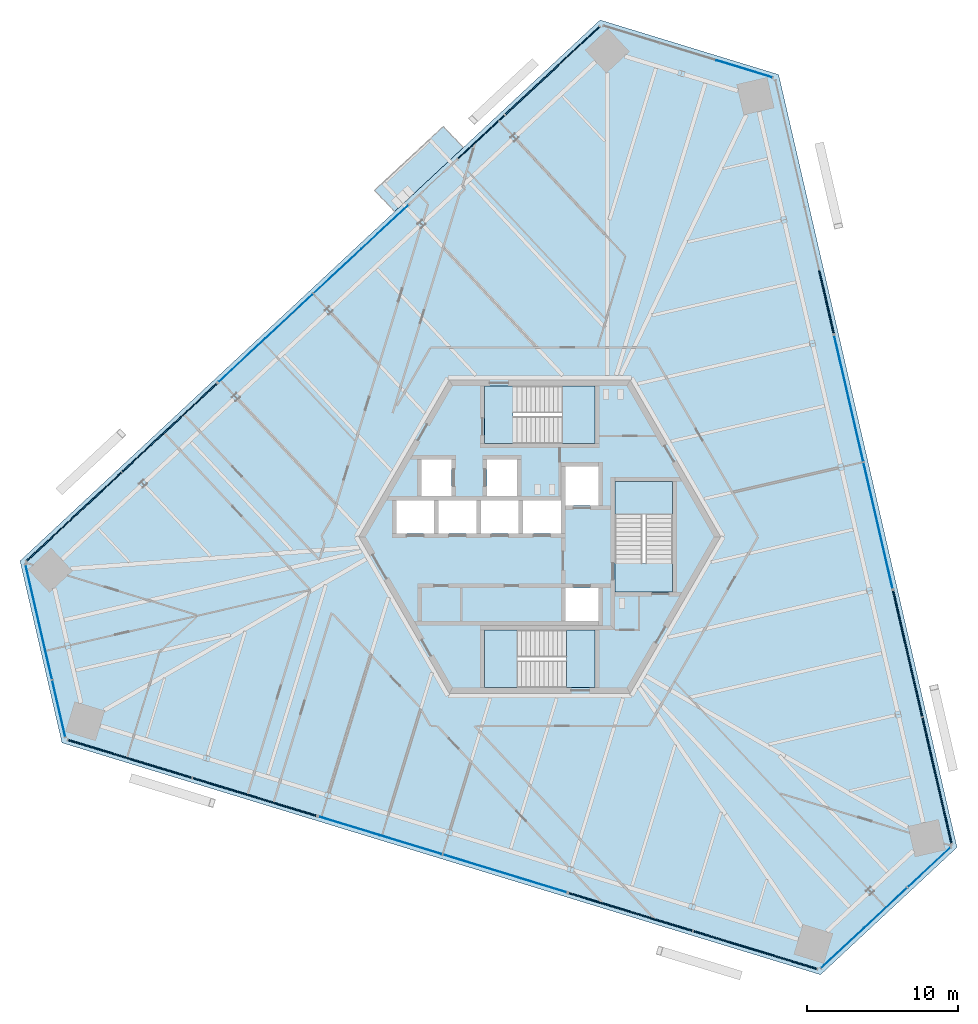
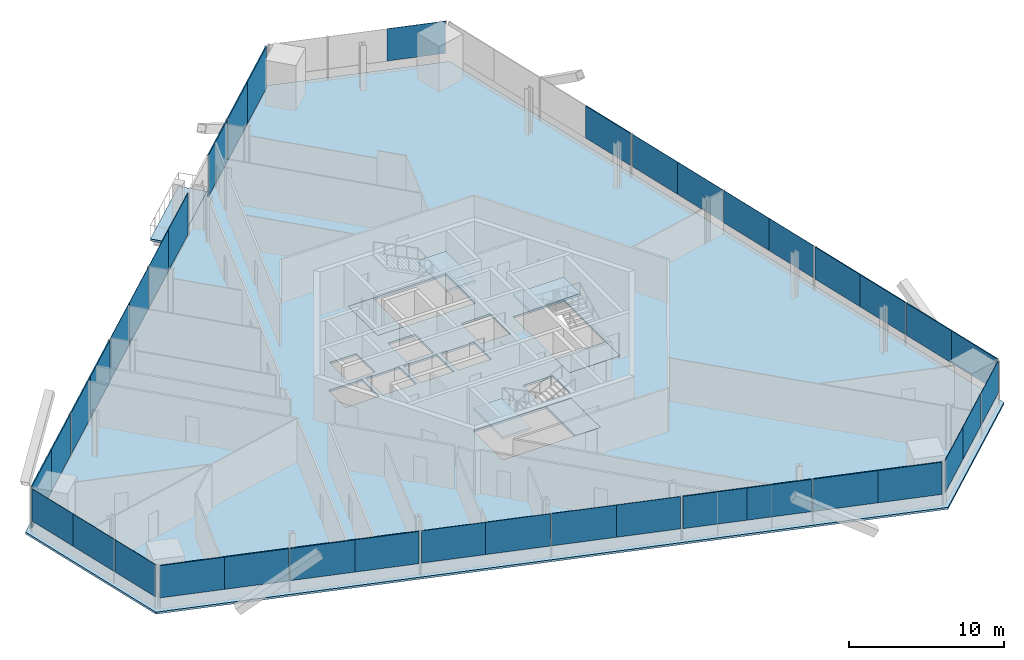
# One storey, part 10 of 18: 39 plates, 8 slabs, 15 elements without a shape of their own.
"""IFC4 building model written with IfcOpenShell, lengths in metres."""

from ifc_helpers import new_model, si_unit, direction, frame, origin, origin_2d, place, context, subcontext, project, spatial, polyline, rectangle, outline, extrude, source, transform, mapped, material, layer, layer_set, type_object, element, aggregate, save


model = new_model("IFC4")

# Units and contexts
model_context = context("Model", 3, precision=1e-05, world=origin(), true_north=direction((0.0, 1.0)))
body_context = subcontext(model_context, "Body", "Model", "MODEL_VIEW")
ifc_project = project(units=[si_unit("LENGTHUNIT", "METRE"), si_unit("AREAUNIT", "SQUARE_METRE"), si_unit("VOLUMEUNIT", "CUBIC_METRE"), si_unit("PLANEANGLEUNIT", "RADIAN"), si_unit("MASSUNIT", "GRAM", prefix="KILO")], contexts=[model_context])

# Site, building, storey
site_placement = place(None, origin())
site = spatial("IfcSite", under=ifc_project, at=site_placement, CompositionType="ELEMENT")
building_placement = place(site_placement, origin())
building = spatial("IfcBuilding", under=site, at=building_placement, Name="Triune Harvest Tower", CompositionType="ELEMENT")
storey_placement = place(building_placement, frame((0.0, 0.0, 101.89990234375)))
storey = spatial("IfcBuildingStorey", under=building, at=storey_placement, Name="L25", CompositionType="ELEMENT", Elevation=101.89990234375)

# Slabs
ifc_material_1 = material(Name="Concrete 40 MPa", Category="concrete")
ifc_layer_1 = layer(ifc_material_1, 0.159912109375)
ifc_layer_set_1 = layer_set([ifc_layer_1], Name="Concrete 40 MPa")
slab_type_1 = type_object("IfcSlabType", Name="BA-1 balcony slab 160", PredefinedType="FLOOR", material=ifc_layer_set_1)
slab_1_placement = place(storey_placement, frame((0.0, 0.0, -0.159912109375)))
element("IfcSlab", 1, at=slab_1_placement, inside=storey, type_object=slab_type_1, Name="Balcony slab B3-F3 L25.4", PredefinedType="FLOOR", context=body_context, shape_type="SweptSolid", body=[
    extrude(outline(polyline([(-5.0712890625, 25.79541015625), (-9.61962890625, 21.553955078125), (-10.93701171875, 22.96630859375), (-6.388427734375, 27.207763671875), (-5.0712890625, 25.79541015625)])), origin(), (0.0, 0.0, 1.0), 0.159912109375),
])
ifc_material_2 = material(Name="Concrete 40 MPa", Category="concrete")
ifc_layer_2 = layer(ifc_material_2, 0.159912109375)
ifc_layer_set_2 = layer_set([ifc_layer_2], Name="Concrete 40 MPa")
slab_type_2 = type_object("IfcSlabType", Name="SL-1 Composite floor slab 160", PredefinedType="FLOOR", material=ifc_layer_set_2)
shared_shape_1 = source(origin(), body_context, "Body", "SweptSolid", [
    extrude(outline(polyline([(27.666748046875, -20.59765625), (15.83740234375, 30.641357421875), (4.004638671875, 34.2587890625), (-34.454833984375, -1.60498046875), (-31.67138671875, -13.661376953125), (18.617431640625, -29.0361328125), (27.666748046875, -20.59765625)]), holes=[polyline([(-7.0, 0.2099609375), (-7.0, 2.409912109375), (-9.5, 2.409912109375), (-9.5, 0.2099609375), (-7.0, 0.2099609375)]), polyline([(-4.199951171875, 0.2099609375), (-4.199951171875, 2.409912109375), (-6.699951171875, 2.409912109375), (-6.699951171875, 0.2099609375), (-4.199951171875, 0.2099609375)]), polyline([(-1.39990234375, 0.2099609375), (-1.39990234375, 2.409912109375), (-3.89990234375, 2.409912109375), (-3.89990234375, 0.2099609375), (-1.39990234375, 0.2099609375)]), polyline([(1.39990234375, 0.2099609375), (1.39990234375, 2.409912109375), (-1.10009765625, 2.409912109375), (-1.10009765625, 0.2099609375), (1.39990234375, 0.2099609375)]), polyline([(3.89990234375, 2.06005859375), (3.89990234375, 4.659912109375), (1.699951171875, 4.659912109375), (1.699951171875, 2.06005859375), (3.89990234375, 2.06005859375)]), polyline([(3.89990234375, -5.590087890625), (3.89990234375, -3.389892578125), (1.699951171875, -3.389892578125), (1.699951171875, -5.590087890625), (3.89990234375, -5.590087890625)]), polyline([(-5.85009765625, 2.7099609375), (-5.85009765625, 5.110107421875), (-7.85009765625, 5.110107421875), (-7.85009765625, 2.7099609375), (-5.85009765625, 2.7099609375)]), polyline([(-1.5, 2.7099609375), (-1.5, 5.110107421875), (-3.5, 5.110107421875), (-3.5, 2.7099609375), (-1.5, 2.7099609375)]), polyline([(3.64990234375, 6.18994140625), (3.64990234375, 9.989990234375), (-3.64990234375, 9.989990234375), (-3.64990234375, 6.18994140625), (3.64990234375, 6.18994140625)]), polyline([(3.64990234375, -9.989990234375), (3.64990234375, -6.18994140625), (-3.64990234375, -6.18994140625), (-3.64990234375, -9.989990234375), (3.64990234375, -9.989990234375)]), polyline([(8.800048828125, -3.64990234375), (8.800048828125, 3.64990234375), (5.0, 3.64990234375), (5.0, -3.64990234375), (8.800048828125, -3.64990234375)])]), origin(), (0.0, 0.0, 1.0), 0.159912109375),
])
slab_2_placement = place(storey_placement, frame((0.0, 0.0, -0.159912109375)))
element("IfcSlab", 2, at=slab_2_placement, inside=storey, type_object=slab_type_2, Name="slab/L25/1", PredefinedType="FLOOR", context=body_context, shape_type="MappedRepresentation", body=[
    mapped(shared_shape_1, transform((0.0, 0.0, 0.0), scale=1.0)),
])

# Stair, slabs
ifc_material_3 = material(Name="Concrete 40 MPa", Category="concrete")
stair_type = type_object("IfcStairType", Name="Exit stair 1800 half turn", PredefinedType="HALF_TURN_STAIR", material=ifc_material_3)
stair_1_placement = place(storey_placement, origin())
stair_1 = element("IfcStair", 3, at=stair_1_placement, inside=storey, type_object=stair_type, Name="Exit stair north", PredefinedType="HALF_TURN_STAIR")
ifc_material_4 = material(Name="Concrete 40 MPa", Category="concrete")
ifc_layer_3 = layer(ifc_material_4, 0.199951171875)
ifc_layer_set_3 = layer_set([ifc_layer_3], Name="Concrete 40 MPa")
slab_type_3 = type_object("IfcSlabType", Name="Stair landing 200", PredefinedType="LANDING", material=ifc_layer_set_3)
shared_shape_2 = source(origin(), body_context, "Body", "SweptSolid", [
    extrude(outline(polyline([(1.510009765625, 6.18994140625), (3.64990234375, 6.18994140625), (3.64990234375, 9.989990234375), (1.510009765625, 9.989990234375), (1.510009765625, 6.18994140625)])), origin(), (0.0, 0.0, 1.0), 0.199951171875),
])
slab_3_placement = place(storey_placement, frame((0.0, 0.0, 1.60009765625)))
slab_3 = element("IfcSlab", 4, at=slab_3_placement, type_object=slab_type_3, Name="ST-1 landing 2", PredefinedType="LANDING", context=body_context, shape_type="MappedRepresentation", body=[
    mapped(shared_shape_2, transform((0.0, 0.0, 0.0), scale=1.0)),
])
shared_shape_3 = source(origin(), body_context, "Body", "SweptSolid", [
    extrude(outline(polyline([(-3.64990234375, 6.18994140625), (-1.780029296875, 6.18994140625), (-1.780029296875, 9.989990234375), (-3.64990234375, 9.989990234375), (-3.64990234375, 6.18994140625)])), origin(), (0.0, 0.0, 1.0), 0.199951171875),
])
slab_4_placement = place(storey_placement, frame((0.0, 0.0, -0.199951171875)))
slab_4 = element("IfcSlab", 5, at=slab_4_placement, type_object=slab_type_3, Name="ST-1 landing 1", PredefinedType="LANDING", context=body_context, shape_type="MappedRepresentation", body=[
    mapped(shared_shape_3, transform((0.0, 0.0, 0.0), scale=1.0)),
])
aggregate(stair_1, [slab_4, slab_3])

stair_2_placement = place(storey_placement, origin())
stair_2 = element("IfcStair", 6, at=stair_2_placement, inside=storey, type_object=stair_type, Name="Exit stair south", PredefinedType="HALF_TURN_STAIR")
shared_shape_4 = source(origin(), body_context, "Body", "SweptSolid", [
    extrude(outline(polyline([(-1.510009765625, -6.18994140625), (-3.64990234375, -6.18994140625), (-3.64990234375, -9.989990234375), (-1.510009765625, -9.989990234375), (-1.510009765625, -6.18994140625)])), origin(), (0.0, 0.0, 1.0), 0.199951171875),
])
slab_5_placement = place(storey_placement, frame((0.0, 0.0, 1.60009765625)))
slab_5 = element("IfcSlab", 7, at=slab_5_placement, type_object=slab_type_3, Name="ST-2 landing 2", PredefinedType="LANDING", context=body_context, shape_type="MappedRepresentation", body=[
    mapped(shared_shape_4, transform((0.0, 0.0, 0.0), scale=1.0)),
])
shared_shape_5 = source(origin(), body_context, "Body", "SweptSolid", [
    extrude(outline(polyline([(3.64990234375, -6.18994140625), (1.780029296875, -6.18994140625), (1.780029296875, -9.989990234375), (3.64990234375, -9.989990234375), (3.64990234375, -6.18994140625)])), origin(), (0.0, 0.0, 1.0), 0.199951171875),
])
slab_6_placement = place(storey_placement, frame((0.0, 0.0, -0.199951171875)))
slab_6 = element("IfcSlab", 8, at=slab_6_placement, type_object=slab_type_3, Name="ST-2 landing 1", PredefinedType="LANDING", context=body_context, shape_type="MappedRepresentation", body=[
    mapped(shared_shape_5, transform((0.0, 0.0, 0.0), scale=1.0)),
])
aggregate(stair_2, [slab_6, slab_5])

stair_3_placement = place(storey_placement, origin())
stair_3 = element("IfcStair", 9, at=stair_3_placement, inside=storey, type_object=stair_type, Name="Exit stair east", PredefinedType="HALF_TURN_STAIR")
shared_shape_6 = source(origin(), body_context, "Body", "SweptSolid", [
    extrude(outline(polyline([(8.800048828125, 1.510009765625), (8.800048828125, 3.64990234375), (5.0, 3.64990234375), (5.0, 1.510009765625), (8.800048828125, 1.510009765625)])), origin(), (0.0, 0.0, 1.0), 0.199951171875),
])
slab_7_placement = place(storey_placement, frame((0.0, 0.0, 1.60009765625)))
slab_7 = element("IfcSlab", 10, at=slab_7_placement, type_object=slab_type_3, Name="ST-3 landing 2", PredefinedType="LANDING", context=body_context, shape_type="MappedRepresentation", body=[
    mapped(shared_shape_6, transform((0.0, 0.0, 0.0), scale=1.0)),
])
shared_shape_7 = source(origin(), body_context, "Body", "SweptSolid", [
    extrude(outline(polyline([(8.800048828125, -3.64990234375), (8.800048828125, -1.780029296875), (5.0, -1.780029296875), (5.0, -3.64990234375), (8.800048828125, -3.64990234375)])), origin(), (0.0, 0.0, 1.0), 0.199951171875),
])
slab_8_placement = place(storey_placement, frame((0.0, 0.0, -0.199951171875)))
slab_8 = element("IfcSlab", 11, at=slab_8_placement, type_object=slab_type_3, Name="ST-3 landing 1", PredefinedType="LANDING", context=body_context, shape_type="MappedRepresentation", body=[
    mapped(shared_shape_7, transform((0.0, 0.0, 0.0), scale=1.0)),
])
aggregate(stair_3, [slab_8, slab_7])

# Curtain wall, plate
ifc_material_5 = material(Name="Aluminium bronze anodised", Category="aluminium")
curtain_wall_type_1 = type_object("IfcCurtainWallType", Name="CW-1 Tower stick curtain wall", PredefinedType="NOTDEFINED", material=ifc_material_5)
curtain_wall_1_placement = place(storey_placement, origin())
curtain_wall_1 = element("IfcCurtainWall", 12, at=curtain_wall_1_placement, inside=storey, type_object=curtain_wall_type_1, Name="CW-1 B3-F2 L25 run 1")
ifc_material_6 = material(Name="Glass", Category="glass")
ifc_layer_4 = layer(ifc_material_6, 0.031982421875)
ifc_layer_set_4 = layer_set([ifc_layer_4], Name="Glass")
plate_type_1 = type_object("IfcPlateType", Name="GL-1 panel 32", PredefinedType="CURTAIN_PANEL", material=ifc_layer_set_4)
shared_shape_8 = source(origin(), body_context, "Body", "SweptSolid", [
    extrude(rectangle(XDim=3.8740234375, YDim=0.031982421875, at=origin_2d()), origin(), (0.0, 0.0, 1.0), 2.5400390625),
])
plate_1_placement = place(storey_placement, frame((13.573974609375, 31.01953125, 0.900146484375), z_axis=(0.0, 0.0, 1.0), x_axis=(-0.956303148607, 0.292376962095, 0.0)))
plate_1 = element("IfcPlate", 13, at=plate_1_placement, type_object=plate_type_1, Name="CW-1 panel B3-F2 1.1", PredefinedType="CURTAIN_PANEL", context=body_context, shape_type="MappedRepresentation", body=[
    mapped(shared_shape_8, transform((0.0, 0.0, 0.0), scale=1.0)),
])
aggregate(curtain_wall_1, [plate_1])

curtain_wall_2_placement = place(storey_placement, origin())
curtain_wall_2 = element("IfcCurtainWall", 14, at=curtain_wall_2_placement, inside=storey, type_object=curtain_wall_type_1, Name="CW-1 B3-F4 L25 run 1")
plate_2_placement = place(storey_placement, frame((-33.650634765625, -3.75439453125, 0.900146484375), z_axis=(0.0, 0.0, 1.0), x_axis=(0.224946950683, -0.974371012181, 0.0)))
plate_2 = element("IfcPlate", 15, at=plate_2_placement, type_object=plate_type_1, Name="CW-1 panel B3-F4 1.1", PredefinedType="CURTAIN_PANEL", context=body_context, shape_type="MappedRepresentation", body=[
    mapped(shared_shape_8, transform((0.0, 0.0, 0.0), scale=1.0)),
])

curtain_wall_3_placement = place(storey_placement, origin())
curtain_wall_3 = element("IfcCurtainWall", 16, at=curtain_wall_3_placement, inside=storey, type_object=curtain_wall_type_1, Name="CW-1 B3-F6 L25 run 1")
plate_3_placement = place(storey_placement, frame((20.076904296875, -27.26513671875, 0.900146484375), z_axis=(0.0, 0.0, 1.0), x_axis=(0.731349946151, 0.682002387287, 0.0)))
plate_3 = element("IfcPlate", 17, at=plate_3_placement, type_object=plate_type_1, Name="CW-1 panel B3-F6 1.1", PredefinedType="CURTAIN_PANEL", context=body_context, shape_type="MappedRepresentation", body=[
    mapped(shared_shape_8, transform((0.0, 0.0, 0.0), scale=1.0)),
])

# Plate
shared_shape_9 = source(origin(), body_context, "Body", "SweptSolid", [
    extrude(rectangle(XDim=3.911376953125, YDim=0.031982421875, at=origin_2d()), origin(), (0.0, 0.0, 1.0), 2.5400390625),
])
plate_4_placement = place(storey_placement, frame((-32.77490234375, -7.54736328125, 0.900146484375), z_axis=(0.0, 0.0, 1.0), x_axis=(0.224946950683, -0.974371012181, 0.0)))
plate_4 = element("IfcPlate", 18, at=plate_4_placement, type_object=plate_type_1, Name="CW-1 panel B3-F4 1.2", PredefinedType="CURTAIN_PANEL", context=body_context, shape_type="MappedRepresentation", body=[
    mapped(shared_shape_9, transform((0.0, 0.0, 0.0), scale=1.0)),
])

plate_5_placement = place(storey_placement, frame((22.923828125, -24.6103515625, 0.900146484375), z_axis=(0.0, 0.0, 1.0), x_axis=(0.731349946151, 0.682002387287, 0.0)))
plate_5 = element("IfcPlate", 19, at=plate_5_placement, type_object=plate_type_1, Name="CW-1 panel B3-F6 1.2", PredefinedType="CURTAIN_PANEL", context=body_context, shape_type="MappedRepresentation", body=[
    mapped(shared_shape_9, transform((0.0, 0.0, 0.0), scale=1.0)),
])

shared_shape_10 = source(origin(), body_context, "Body", "SweptSolid", [
    extrude(rectangle(XDim=3.83642578125, YDim=0.031982421875, at=origin_2d()), origin(), (0.0, 0.0, 1.0), 2.5400390625),
])
plate_6_placement = place(storey_placement, frame((-31.88671875, -11.395263671875, 0.900146484375), z_axis=(0.0, 0.0, 1.0), x_axis=(0.224946950683, -0.974371012181, 0.0)))
plate_6 = element("IfcPlate", 20, at=plate_6_placement, type_object=plate_type_1, Name="CW-1 panel B3-F4 1.3", PredefinedType="CURTAIN_PANEL", context=body_context, shape_type="MappedRepresentation", body=[
    mapped(shared_shape_10, transform((0.0, 0.0, 0.0), scale=1.0)),
])

aggregate(curtain_wall_2, [plate_2, plate_4, plate_6])

plate_7_placement = place(storey_placement, frame((25.81201171875, -21.9169921875, 0.900146484375), z_axis=(0.0, 0.0, 1.0), x_axis=(0.731349946151, 0.682002387287, 0.0)))
plate_7 = element("IfcPlate", 21, at=plate_7_placement, type_object=plate_type_1, Name="CW-1 panel B3-F6 1.3", PredefinedType="CURTAIN_PANEL", context=body_context, shape_type="MappedRepresentation", body=[
    mapped(shared_shape_10, transform((0.0, 0.0, 0.0), scale=1.0)),
])

aggregate(curtain_wall_3, [plate_3, plate_5, plate_7])

# Curtain wall, plates
ifc_material_7 = material(Name="Aluminium bronze anodised", Category="aluminium")
curtain_wall_type_2 = type_object("IfcCurtainWallType", Name="CW-7 Tower stick curtain wall with insulated spandrel infill", PredefinedType="NOTDEFINED", material=ifc_material_7)
curtain_wall_4_placement = place(storey_placement, origin())
curtain_wall_4 = element("IfcCurtainWall", 22, at=curtain_wall_4_placement, inside=storey, type_object=curtain_wall_type_2, Name="CW-7 B3-F1 L25 run 1")
ifc_material_8 = material(Name="Insulated spandrel panel, bronze aluminium pan", Category="aluminium")
ifc_layer_5 = layer(ifc_material_8, 0.080078125)
ifc_layer_set_5 = layer_set([ifc_layer_5], Name="Insulated spandrel panel, bronze aluminium pan")
plate_type_2 = type_object("IfcPlateType", Name="SP-1 insulated spandrel panel 80", PredefinedType="CURTAIN_PANEL", material=ifc_layer_set_5)
shared_shape_11 = source(origin(), body_context, "Body", "SweptSolid", [
    extrude(rectangle(XDim=4.263427734375, YDim=0.080078125, at=origin_2d()), origin(), (0.0, 0.0, 1.0), 2.5400390625),
])
plate_8_placement = place(storey_placement, frame((26.81884765625, -18.258544921875, 0.900146484375), z_axis=(0.0, 0.0, 1.0), x_axis=(-0.224950777946, 0.974370128597, 0.0)))
plate_8 = element("IfcPlate", 23, at=plate_8_placement, type_object=plate_type_2, Name="CW-7 panel B3-F1 1.1", PredefinedType="CURTAIN_PANEL", context=body_context, shape_type="MappedRepresentation", body=[
    mapped(shared_shape_11, transform((0.0, 0.0, 0.0), scale=1.0)),
])
plate_9_placement = place(storey_placement, frame((23.907958984375, -5.650146484375, 0.900146484375), z_axis=(0.0, 0.0, 1.0), x_axis=(-0.224950777946, 0.974370128597, 0.0)))
plate_9 = element("IfcPlate", 24, at=plate_9_placement, type_object=plate_type_2, Name="CW-7 panel B3-F1 1.4", PredefinedType="CURTAIN_PANEL", context=body_context, shape_type="MappedRepresentation", body=[
    mapped(shared_shape_11, transform((0.0, 0.0, 0.0), scale=1.0)),
])

# Curtain wall, plate
curtain_wall_5_placement = place(storey_placement, origin())
curtain_wall_5 = element("IfcCurtainWall", 25, at=curtain_wall_5_placement, inside=storey, type_object=curtain_wall_type_2, Name="CW-7 B3-F1 L25 run 2001")
plate_10_placement = place(storey_placement, frame((19.011474609375, 15.558837890625, 0.900146484375), z_axis=(0.0, 0.0, 1.0), x_axis=(-0.224950777946, 0.974370128597, 0.0)))
plate_10 = element("IfcPlate", 26, at=plate_10_placement, type_object=plate_type_2, Name="CW-7 panel B3-F1 2001.1", PredefinedType="CURTAIN_PANEL", context=body_context, shape_type="MappedRepresentation", body=[
    mapped(shared_shape_11, transform((0.0, 0.0, 0.0), scale=1.0)),
])
aggregate(curtain_wall_5, [plate_10])

# Curtain wall, plates
curtain_wall_6_placement = place(storey_placement, origin())
curtain_wall_6 = element("IfcCurtainWall", 27, at=curtain_wall_6_placement, inside=storey, type_object=curtain_wall_type_2, Name="CW-7 B3-F5 L25 run 1")
plate_11_placement = place(storey_placement, frame((-29.2216796875, -14.096435546875, 0.900146484375), z_axis=(0.0, 0.0, 1.0), x_axis=(0.956304520507, -0.292372474863, 0.0)))
plate_11 = element("IfcPlate", 28, at=plate_11_placement, type_object=plate_type_2, Name="CW-7 panel B3-F5 1.1", PredefinedType="CURTAIN_PANEL", context=body_context, shape_type="MappedRepresentation", body=[
    mapped(shared_shape_11, transform((0.0, 0.0, 0.0), scale=1.0)),
])
plate_12_placement = place(storey_placement, frame((-16.84716796875, -17.8798828125, 0.900146484375), z_axis=(0.0, 0.0, 1.0), x_axis=(0.956304520507, -0.292372474863, 0.0)))
plate_12 = element("IfcPlate", 29, at=plate_12_placement, type_object=plate_type_2, Name="CW-7 panel B3-F5 1.4", PredefinedType="CURTAIN_PANEL", context=body_context, shape_type="MappedRepresentation", body=[
    mapped(shared_shape_11, transform((0.0, 0.0, 0.0), scale=1.0)),
])

curtain_wall_7_placement = place(storey_placement, origin())
curtain_wall_7 = element("IfcCurtainWall", 30, at=curtain_wall_7_placement, inside=storey, type_object=curtain_wall_type_2, Name="CW-7 B3-F5 L25 run 2001")
plate_13_placement = place(storey_placement, frame((3.968505859375, -24.243896484375, 0.900146484375), z_axis=(0.0, 0.0, 1.0), x_axis=(0.956304520507, -0.292372474863, 0.0)))
plate_13 = element("IfcPlate", 31, at=plate_13_placement, type_object=plate_type_2, Name="CW-7 panel B3-F5 2001.1", PredefinedType="CURTAIN_PANEL", context=body_context, shape_type="MappedRepresentation", body=[
    mapped(shared_shape_11, transform((0.0, 0.0, 0.0), scale=1.0)),
])
plate_14_placement = place(storey_placement, frame((16.34326171875, -28.027099609375, 0.900146484375), z_axis=(0.0, 0.0, 1.0), x_axis=(0.956304520507, -0.292372474863, 0.0)))
plate_14 = element("IfcPlate", 32, at=plate_14_placement, type_object=plate_type_2, Name="CW-7 panel B3-F5 2001.4", PredefinedType="CURTAIN_PANEL", context=body_context, shape_type="MappedRepresentation", body=[
    mapped(shared_shape_11, transform((0.0, 0.0, 0.0), scale=1.0)),
])

# Plate
shared_shape_12 = source(origin(), body_context, "Body", "SweptSolid", [
    extrude(rectangle(XDim=4.30078125, YDim=0.080078125, at=origin_2d()), origin(), (0.0, 0.0, 1.0), 2.5400390625),
])
plate_15_placement = place(storey_placement, frame((25.855712890625, -14.086181640625, 0.900146484375), z_axis=(0.0, 0.0, 1.0), x_axis=(-0.224950777946, 0.974370128597, 0.0)))
plate_15 = element("IfcPlate", 33, at=plate_15_placement, type_object=plate_type_2, Name="CW-7 panel B3-F1 1.2", PredefinedType="CURTAIN_PANEL", context=body_context, shape_type="MappedRepresentation", body=[
    mapped(shared_shape_12, transform((0.0, 0.0, 0.0), scale=1.0)),
])

plate_16_placement = place(storey_placement, frame((24.871337890625, -9.822509765625, 0.900146484375), z_axis=(0.0, 0.0, 1.0), x_axis=(-0.224950777946, 0.974370128597, 0.0)))
plate_16 = element("IfcPlate", 34, at=plate_16_placement, type_object=plate_type_2, Name="CW-7 panel B3-F1 1.3", PredefinedType="CURTAIN_PANEL", context=body_context, shape_type="MappedRepresentation", body=[
    mapped(shared_shape_12, transform((0.0, 0.0, 0.0), scale=1.0)),
])

aggregate(curtain_wall_4, [plate_8, plate_15, plate_16, plate_9])

plate_17_placement = place(storey_placement, frame((-25.126708984375, -15.348388671875, 0.900146484375), z_axis=(0.0, 0.0, 1.0), x_axis=(0.956304520507, -0.292372474863, 0.0)))
plate_17 = element("IfcPlate", 35, at=plate_17_placement, type_object=plate_type_2, Name="CW-7 panel B3-F5 1.2", PredefinedType="CURTAIN_PANEL", context=body_context, shape_type="MappedRepresentation", body=[
    mapped(shared_shape_12, transform((0.0, 0.0, 0.0), scale=1.0)),
])

plate_18_placement = place(storey_placement, frame((-20.942138671875, -16.6279296875, 0.900146484375), z_axis=(0.0, 0.0, 1.0), x_axis=(0.956304520507, -0.292372474863, 0.0)))
plate_18 = element("IfcPlate", 36, at=plate_18_placement, type_object=plate_type_2, Name="CW-7 panel B3-F5 1.3", PredefinedType="CURTAIN_PANEL", context=body_context, shape_type="MappedRepresentation", body=[
    mapped(shared_shape_12, transform((0.0, 0.0, 0.0), scale=1.0)),
])

aggregate(curtain_wall_6, [plate_11, plate_17, plate_18, plate_12])

plate_19_placement = place(storey_placement, frame((8.0634765625, -25.495849609375, 0.900146484375), z_axis=(0.0, 0.0, 1.0), x_axis=(0.956304520507, -0.292372474863, 0.0)))
plate_19 = element("IfcPlate", 37, at=plate_19_placement, type_object=plate_type_2, Name="CW-7 panel B3-F5 2001.2", PredefinedType="CURTAIN_PANEL", context=body_context, shape_type="MappedRepresentation", body=[
    mapped(shared_shape_12, transform((0.0, 0.0, 0.0), scale=1.0)),
])

plate_20_placement = place(storey_placement, frame((12.248291015625, -26.775146484375, 0.900146484375), z_axis=(0.0, 0.0, 1.0), x_axis=(0.956304520507, -0.292372474863, 0.0)))
plate_20 = element("IfcPlate", 38, at=plate_20_placement, type_object=plate_type_2, Name="CW-7 panel B3-F5 2001.3", PredefinedType="CURTAIN_PANEL", context=body_context, shape_type="MappedRepresentation", body=[
    mapped(shared_shape_12, transform((0.0, 0.0, 0.0), scale=1.0)),
])

aggregate(curtain_wall_7, [plate_13, plate_19, plate_20, plate_14])

# Curtain wall, plates
curtain_wall_8_placement = place(storey_placement, origin())
curtain_wall_8 = element("IfcCurtainWall", 39, at=curtain_wall_8_placement, inside=storey, type_object=curtain_wall_type_1, Name="CW-1 B3-F1 L25 run 1001")
shared_shape_13 = source(origin(), body_context, "Body", "SweptSolid", [
    extrude(rectangle(XDim=4.263427734375, YDim=0.031982421875, at=origin_2d()), origin(), (0.0, 0.0, 1.0), 2.5400390625),
])
plate_21_placement = place(storey_placement, frame((22.915283203125, -1.349853515625, 0.900146484375), z_axis=(0.0, 0.0, 1.0), x_axis=(-0.224952094735, 0.974369824591, 0.0)))
plate_21 = element("IfcPlate", 40, at=plate_21_placement, type_object=plate_type_1, Name="CW-1 panel B3-F1 1001.1", PredefinedType="CURTAIN_PANEL", context=body_context, shape_type="MappedRepresentation", body=[
    mapped(shared_shape_13, transform((0.0, 0.0, 0.0), scale=1.0)),
])
plate_22_placement = place(storey_placement, frame((20.00439453125, 11.258544921875, 0.900146484375), z_axis=(0.0, 0.0, 1.0), x_axis=(-0.224952094735, 0.974369824591, 0.0)))
plate_22 = element("IfcPlate", 41, at=plate_22_placement, type_object=plate_type_1, Name="CW-1 panel B3-F1 1001.4", PredefinedType="CURTAIN_PANEL", context=body_context, shape_type="MappedRepresentation", body=[
    mapped(shared_shape_13, transform((0.0, 0.0, 0.0), scale=1.0)),
])

curtain_wall_9_placement = place(storey_placement, origin())
curtain_wall_9 = element("IfcCurtainWall", 42, at=curtain_wall_9_placement, inside=storey, type_object=curtain_wall_type_1, Name="CW-1 B3-F5 L25 run 1001")
plate_23_placement = place(storey_placement, frame((-12.62646484375, -19.170166015625, 0.900146484375), z_axis=(0.0, 0.0, 1.0), x_axis=(0.956303647969, -0.292375328782, 0.0)))
plate_23 = element("IfcPlate", 43, at=plate_23_placement, type_object=plate_type_1, Name="CW-1 panel B3-F5 1001.1", PredefinedType="CURTAIN_PANEL", context=body_context, shape_type="MappedRepresentation", body=[
    mapped(shared_shape_13, transform((0.0, 0.0, 0.0), scale=1.0)),
])
plate_24_placement = place(storey_placement, frame((-0.251953125, -22.95361328125, 0.900146484375), z_axis=(0.0, 0.0, 1.0), x_axis=(0.956303647969, -0.292375328782, 0.0)))
plate_24 = element("IfcPlate", 44, at=plate_24_placement, type_object=plate_type_1, Name="CW-1 panel B3-F5 1001.4", PredefinedType="CURTAIN_PANEL", context=body_context, shape_type="MappedRepresentation", body=[
    mapped(shared_shape_13, transform((0.0, 0.0, 0.0), scale=1.0)),
])

# Plate
shared_shape_14 = source(origin(), body_context, "Body", "SweptSolid", [
    extrude(rectangle(XDim=4.30078125, YDim=0.031982421875, at=origin_2d()), origin(), (0.0, 0.0, 1.0), 2.5400390625),
])
plate_25_placement = place(storey_placement, frame((21.951904296875, 2.822509765625, 0.900146484375), z_axis=(0.0, 0.0, 1.0), x_axis=(-0.224952094735, 0.974369824591, 0.0)))
plate_25 = element("IfcPlate", 45, at=plate_25_placement, type_object=plate_type_1, Name="CW-1 panel B3-F1 1001.2", PredefinedType="CURTAIN_PANEL", context=body_context, shape_type="MappedRepresentation", body=[
    mapped(shared_shape_14, transform((0.0, 0.0, 0.0), scale=1.0)),
])

plate_26_placement = place(storey_placement, frame((20.967529296875, 7.086181640625, 0.900146484375), z_axis=(0.0, 0.0, 1.0), x_axis=(-0.224952094735, 0.974369824591, 0.0)))
plate_26 = element("IfcPlate", 46, at=plate_26_placement, type_object=plate_type_1, Name="CW-1 panel B3-F1 1001.3", PredefinedType="CURTAIN_PANEL", context=body_context, shape_type="MappedRepresentation", body=[
    mapped(shared_shape_14, transform((0.0, 0.0, 0.0), scale=1.0)),
])

aggregate(curtain_wall_8, [plate_21, plate_25, plate_26, plate_22])

plate_27_placement = place(storey_placement, frame((-8.531494140625, -20.422119140625, 0.900146484375), z_axis=(0.0, 0.0, 1.0), x_axis=(0.956303647969, -0.292375328782, 0.0)))
plate_27 = element("IfcPlate", 47, at=plate_27_placement, type_object=plate_type_1, Name="CW-1 panel B3-F5 1001.2", PredefinedType="CURTAIN_PANEL", context=body_context, shape_type="MappedRepresentation", body=[
    mapped(shared_shape_14, transform((0.0, 0.0, 0.0), scale=1.0)),
])

plate_28_placement = place(storey_placement, frame((-4.346923828125, -21.70166015625, 0.900146484375), z_axis=(0.0, 0.0, 1.0), x_axis=(0.956303647969, -0.292375328782, 0.0)))
plate_28 = element("IfcPlate", 48, at=plate_28_placement, type_object=plate_type_1, Name="CW-1 panel B3-F5 1001.3", PredefinedType="CURTAIN_PANEL", context=body_context, shape_type="MappedRepresentation", body=[
    mapped(shared_shape_14, transform((0.0, 0.0, 0.0), scale=1.0)),
])

aggregate(curtain_wall_9, [plate_23, plate_27, plate_28, plate_24])

# Curtain wall, plates
ifc_material_9 = material(Name="Aluminium bronze anodised", Category="aluminium")
curtain_wall_type_3 = type_object("IfcCurtainWallType", Name="CW-10 Balcony window wall with insulated spandrel infill", PredefinedType="NOTDEFINED", material=ifc_material_9)
curtain_wall_10_placement = place(storey_placement, origin())
curtain_wall_10 = element("IfcCurtainWall", 49, at=curtain_wall_10_placement, inside=storey, type_object=curtain_wall_type_3, Name="CW-10 B3-F3 L25 run 1")
shared_shape_15 = source(origin(), body_context, "Body", "SweptSolid", [
    extrude(rectangle(XDim=4.248291015625, YDim=0.080078125, at=origin_2d()), origin(), (0.0, 0.0, 1.0), 3.2900390625),
])
plate_29_placement = place(storey_placement, frame((2.408447265625, 32.360107421875, 0.150146484375), z_axis=(0.0, 0.0, 1.0), x_axis=(-0.73135336394, -0.681998722179, 0.0)))
plate_29 = element("IfcPlate", 50, at=plate_29_placement, type_object=plate_type_2, Name="CW-10 panel B3-F3 1.1", PredefinedType="CURTAIN_PANEL", context=body_context, shape_type="MappedRepresentation", body=[
    mapped(shared_shape_15, transform((0.0, 0.0, 0.0), scale=1.0)),
])
shared_shape_16 = source(origin(), body_context, "Body", "SweptSolid", [
    extrude(rectangle(XDim=4.285888671875, YDim=0.080078125, at=origin_2d()), origin(), (0.0, 0.0, 1.0), 3.2900390625),
])
plate_30_placement = place(storey_placement, frame((-0.71240234375, 29.449951171875, 0.150146484375), z_axis=(0.0, 0.0, 1.0), x_axis=(-0.73135336394, -0.681998722179, 0.0)))
plate_30 = element("IfcPlate", 51, at=plate_30_placement, type_object=plate_type_2, Name="CW-10 panel B3-F3 1.2", PredefinedType="CURTAIN_PANEL", context=body_context, shape_type="MappedRepresentation", body=[
    mapped(shared_shape_16, transform((0.0, 0.0, 0.0), scale=1.0)),
])
shared_shape_17 = source(origin(), body_context, "Body", "SweptSolid", [
    extrude(rectangle(XDim=4.2109375, YDim=0.080078125, at=origin_2d()), origin(), (0.0, 0.0, 1.0), 3.2900390625),
])
plate_31_placement = place(storey_placement, frame((-3.874267578125, 26.50146484375, 0.150146484375), z_axis=(0.0, 0.0, 1.0), x_axis=(-0.73135336394, -0.681998722179, 0.0)))
plate_31 = element("IfcPlate", 52, at=plate_31_placement, type_object=plate_type_2, Name="CW-10 panel B3-F3 1.3", PredefinedType="CURTAIN_PANEL", context=body_context, shape_type="MappedRepresentation", body=[
    mapped(shared_shape_17, transform((0.0, 0.0, 0.0), scale=1.0)),
])
aggregate(curtain_wall_10, [plate_29, plate_30, plate_31])

ifc_material_10 = material(Name="Aluminium bronze anodised", Category="aluminium")
curtain_wall_type_4 = type_object("IfcCurtainWallType", Name="CW-6 Balcony window wall", PredefinedType="NOTDEFINED", material=ifc_material_10)
curtain_wall_11_placement = place(storey_placement, origin())
curtain_wall_11 = element("IfcCurtainWall", 53, at=curtain_wall_11_placement, inside=storey, type_object=curtain_wall_type_4, Name="CW-6 B3-F3 L25 run 2")
ifc_material_11 = material(Name="Glass", Category="glass")
ifc_layer_6 = layer(ifc_material_11, 0.030029296875)
ifc_layer_set_6 = layer_set([ifc_layer_6], Name="Glass")
plate_type_3 = type_object("IfcPlateType", Name="GL-6 panel 30", PredefinedType="CURTAIN_PANEL", material=ifc_layer_set_6)
shared_shape_18 = source(origin(), body_context, "Body", "SweptSolid", [
    extrude(rectangle(XDim=4.26708984375, YDim=0.030029296875, at=origin_2d()), origin(), (0.0, 0.0, 1.0), 3.2900390625),
])
plate_32_placement = place(storey_placement, frame((-10.26806640625, 20.539306640625, 0.150146484375), z_axis=(0.0, 0.0, 1.0), x_axis=(-0.73135209478, -0.682000083183, 0.0)))
plate_32 = element("IfcPlate", 54, at=plate_32_placement, type_object=plate_type_3, Name="CW-6 panel B3-F3 2.1", PredefinedType="CURTAIN_PANEL", context=body_context, shape_type="MappedRepresentation", body=[
    mapped(shared_shape_18, transform((0.0, 0.0, 0.0), scale=1.0)),
])
plate_33_placement = place(storey_placement, frame((-19.739990234375, 11.70654296875, 0.150146484375), z_axis=(0.0, 0.0, 1.0), x_axis=(-0.73135209478, -0.682000083183, 0.0)))
plate_33 = element("IfcPlate", 55, at=plate_33_placement, type_object=plate_type_3, Name="CW-6 panel B3-F3 2.4", PredefinedType="CURTAIN_PANEL", context=body_context, shape_type="MappedRepresentation", body=[
    mapped(shared_shape_18, transform((0.0, 0.0, 0.0), scale=1.0)),
])
shared_shape_19 = source(origin(), body_context, "Body", "SweptSolid", [
    extrude(rectangle(XDim=4.3046875, YDim=0.030029296875, at=origin_2d()), origin(), (0.0, 0.0, 1.0), 3.2900390625),
])
plate_34_placement = place(storey_placement, frame((-13.402587890625, 17.6162109375, 0.150146484375), z_axis=(0.0, 0.0, 1.0), x_axis=(-0.73135209478, -0.682000083183, 0.0)))
plate_34 = element("IfcPlate", 56, at=plate_34_placement, type_object=plate_type_3, Name="CW-6 panel B3-F3 2.2", PredefinedType="CURTAIN_PANEL", context=body_context, shape_type="MappedRepresentation", body=[
    mapped(shared_shape_19, transform((0.0, 0.0, 0.0), scale=1.0)),
])
plate_35_placement = place(storey_placement, frame((-16.60546875, 14.62939453125, 0.150146484375), z_axis=(0.0, 0.0, 1.0), x_axis=(-0.73135209478, -0.682000083183, 0.0)))
plate_35 = element("IfcPlate", 57, at=plate_35_placement, type_object=plate_type_3, Name="CW-6 panel B3-F3 2.3", PredefinedType="CURTAIN_PANEL", context=body_context, shape_type="MappedRepresentation", body=[
    mapped(shared_shape_19, transform((0.0, 0.0, 0.0), scale=1.0)),
])
aggregate(curtain_wall_11, [plate_32, plate_34, plate_35, plate_33])

curtain_wall_12_placement = place(storey_placement, origin())
curtain_wall_12 = element("IfcCurtainWall", 58, at=curtain_wall_12_placement, inside=storey, type_object=curtain_wall_type_3, Name="CW-10 B3-F3 L25 run 1002")
shared_shape_20 = source(origin(), body_context, "Body", "SweptSolid", [
    extrude(rectangle(XDim=4.26708984375, YDim=0.080078125, at=origin_2d()), origin(), (0.0, 0.0, 1.0), 3.2900390625),
])
plate_36_placement = place(storey_placement, frame((-22.970458984375, 8.694091796875, 0.150146484375), z_axis=(0.0, 0.0, 1.0), x_axis=(-0.731354633085, -0.681997361186, 0.0)))
plate_36 = element("IfcPlate", 59, at=plate_36_placement, type_object=plate_type_2, Name="CW-10 panel B3-F3 1002.1", PredefinedType="CURTAIN_PANEL", context=body_context, shape_type="MappedRepresentation", body=[
    mapped(shared_shape_20, transform((0.0, 0.0, 0.0), scale=1.0)),
])
plate_37_placement = place(storey_placement, frame((-32.4423828125, -0.138671875, 0.150146484375), z_axis=(0.0, 0.0, 1.0), x_axis=(-0.731354633085, -0.681997361186, 0.0)))
plate_37 = element("IfcPlate", 60, at=plate_37_placement, type_object=plate_type_2, Name="CW-10 panel B3-F3 1002.4", PredefinedType="CURTAIN_PANEL", context=body_context, shape_type="MappedRepresentation", body=[
    mapped(shared_shape_20, transform((0.0, 0.0, 0.0), scale=1.0)),
])
shared_shape_21 = source(origin(), body_context, "Body", "SweptSolid", [
    extrude(rectangle(XDim=4.3046875, YDim=0.080078125, at=origin_2d()), origin(), (0.0, 0.0, 1.0), 3.2900390625),
])
plate_38_placement = place(storey_placement, frame((-26.10498046875, 5.77099609375, 0.150146484375), z_axis=(0.0, 0.0, 1.0), x_axis=(-0.731354633085, -0.681997361186, 0.0)))
plate_38 = element("IfcPlate", 61, at=plate_38_placement, type_object=plate_type_2, Name="CW-10 panel B3-F3 1002.2", PredefinedType="CURTAIN_PANEL", context=body_context, shape_type="MappedRepresentation", body=[
    mapped(shared_shape_21, transform((0.0, 0.0, 0.0), scale=1.0)),
])
plate_39_placement = place(storey_placement, frame((-29.307861328125, 2.7841796875, 0.150146484375), z_axis=(0.0, 0.0, 1.0), x_axis=(-0.731354633085, -0.681997361186, 0.0)))
plate_39 = element("IfcPlate", 62, at=plate_39_placement, type_object=plate_type_2, Name="CW-10 panel B3-F3 1002.3", PredefinedType="CURTAIN_PANEL", context=body_context, shape_type="MappedRepresentation", body=[
    mapped(shared_shape_21, transform((0.0, 0.0, 0.0), scale=1.0)),
])
aggregate(curtain_wall_12, [plate_36, plate_38, plate_39, plate_37])

save(model, "model.ifc")
